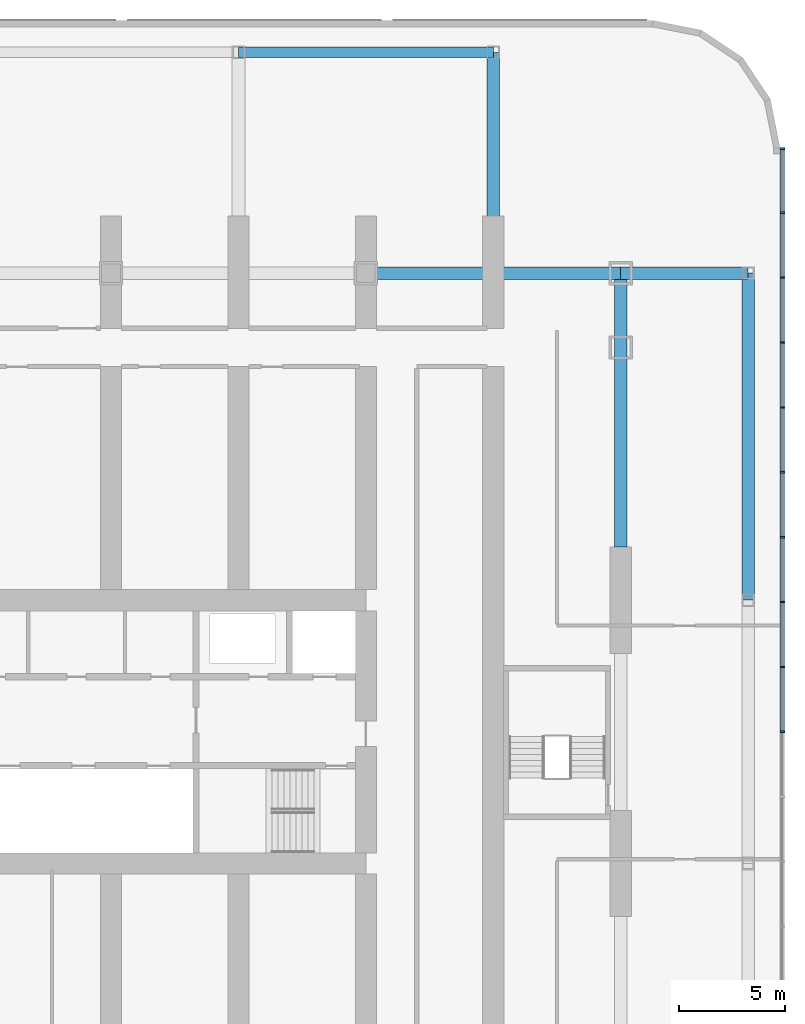
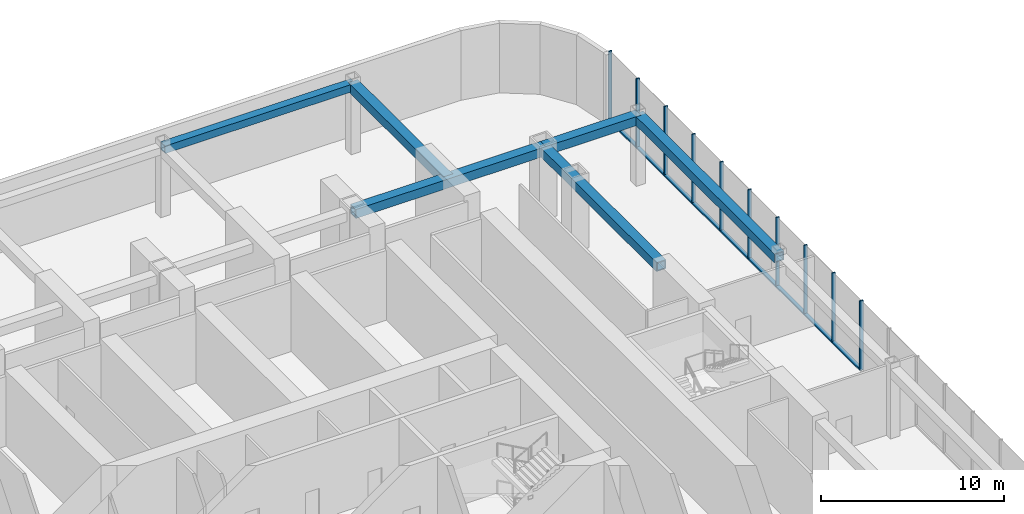
# One storey, part 11 of 37: 19 members, 6 beams, 1 element without a shape of its own.
"""IFC4 building model written with IfcOpenShell, lengths in metres."""

from ifc_helpers import new_model, si_unit, direction, frame, origin, origin_2d, place, context, subcontext, project, spatial, rectangle, hollow_rectangle, extrude, material, material_profile, profile_set, type_object, element, aggregate, save


model = new_model("IFC4")

# Units and contexts
model_context = context("Model", 3, precision=1e-05, world=origin(), true_north=direction((0.0, 1.0)))
body_context = subcontext(model_context, "Body", "Model", "MODEL_VIEW")
ifc_project = project(units=[si_unit("LENGTHUNIT", "METRE"), si_unit("AREAUNIT", "SQUARE_METRE"), si_unit("VOLUMEUNIT", "CUBIC_METRE"), si_unit("PLANEANGLEUNIT", "RADIAN"), si_unit("MASSUNIT", "GRAM", prefix="KILO")], contexts=[model_context])

# Site, building, storey
site_placement = place(None, origin())
site = spatial("IfcSite", under=ifc_project, at=site_placement, CompositionType="ELEMENT")
building_placement = place(site_placement, origin())
building = spatial("IfcBuilding", under=site, at=building_placement, Name="Orbita Commons", CompositionType="ELEMENT")
storey_placement = place(building_placement, frame((0.0, 0.0, 6.0)))
storey = spatial("IfcBuildingStorey", under=building, at=storey_placement, Name="L01", CompositionType="ELEMENT", Elevation=6.0)

# Curtain wall, members
ifc_material_1 = material(Name="Anodised aluminium frame, pale silver", Category="aluminium")
curtain_wall_type = type_object("IfcCurtainWallType", Name="Podium storefront curtain wall CW-P", PredefinedType="NOTDEFINED", material=ifc_material_1)
curtain_wall_placement = place(storey_placement, origin())
curtain_wall = element("IfcCurtainWall", 1, at=curtain_wall_placement, inside=storey, type_object=curtain_wall_type, Name="Curtain wall E 1 L01", PredefinedType="NOTDEFINED")
ifc_material_2 = material(Name="Anodised aluminium, pale silver", Category="aluminium")
ifc_material_profile_1 = material_profile(ifc_material_2, rectangle(XDim=0.080078125, YDim=0.219970703125, at=origin_2d()), Name="AL 80x220")
ifc_profile_set_1 = profile_set([ifc_material_profile_1], Name="Anodised aluminium, pale silver")
member_type_1 = type_object("IfcMemberType", Name="Curtain wall mullion 80x220", PredefinedType="MULLION", material=ifc_profile_set_1)
member_1_placement = place(storey_placement, frame((85.610107421875, 32.0, 0.0), z_axis=(0.0, 0.0, 1.0), x_axis=(0.0, 1.0, 0.0)))
member_1 = element("IfcMember", 2, at=member_1_placement, type_object=member_type_1, Name="Mullion 10 CW-L01-E0", PredefinedType="MULLION", context=body_context, shape_type="SweptSolid", body=[
    extrude(rectangle(XDim=0.080078125, YDim=0.219970703125, at=origin_2d()), origin(), (0.0, 0.0, 1.0), 4.64990234375),
])
member_2_placement = place(storey_placement, frame((85.610107421875, 35.0556640625, 0.0), z_axis=(0.0, 0.0, 1.0), x_axis=(0.0, 1.0, 0.0)))
member_2 = element("IfcMember", 3, at=member_2_placement, type_object=member_type_1, Name="Mullion 11 CW-L01-E0", PredefinedType="MULLION", context=body_context, shape_type="SweptSolid", body=[
    extrude(rectangle(XDim=0.080078125, YDim=0.219970703125, at=origin_2d()), origin(), (0.0, 0.0, 1.0), 4.64990234375),
])
member_3_placement = place(storey_placement, frame((85.610107421875, 38.111083984375, 0.0), z_axis=(0.0, 0.0, 1.0), x_axis=(0.0, 1.0, 0.0)))
member_3 = element("IfcMember", 4, at=member_3_placement, type_object=member_type_1, Name="Mullion 12 CW-L01-E0", PredefinedType="MULLION", context=body_context, shape_type="SweptSolid", body=[
    extrude(rectangle(XDim=0.080078125, YDim=0.219970703125, at=origin_2d()), origin(), (0.0, 0.0, 1.0), 4.64990234375),
])
member_4_placement = place(storey_placement, frame((85.610107421875, 41.166748046875, 0.0), z_axis=(0.0, 0.0, 1.0), x_axis=(0.0, 1.0, 0.0)))
member_4 = element("IfcMember", 5, at=member_4_placement, type_object=member_type_1, Name="Mullion 13 CW-L01-E0", PredefinedType="MULLION", context=body_context, shape_type="SweptSolid", body=[
    extrude(rectangle(XDim=0.080078125, YDim=0.219970703125, at=origin_2d()), origin(), (0.0, 0.0, 1.0), 4.64990234375),
])
member_5_placement = place(storey_placement, frame((85.610107421875, 44.22216796875, 0.0), z_axis=(0.0, 0.0, 1.0), x_axis=(0.0, 1.0, 0.0)))
member_5 = element("IfcMember", 6, at=member_5_placement, type_object=member_type_1, Name="Mullion 14 CW-L01-E0", PredefinedType="MULLION", context=body_context, shape_type="SweptSolid", body=[
    extrude(rectangle(XDim=0.080078125, YDim=0.219970703125, at=origin_2d()), origin(), (0.0, 0.0, 1.0), 4.64990234375),
])
member_6_placement = place(storey_placement, frame((85.610107421875, 47.27783203125, 0.0), z_axis=(0.0, 0.0, 1.0), x_axis=(0.0, 1.0, 0.0)))
member_6 = element("IfcMember", 7, at=member_6_placement, type_object=member_type_1, Name="Mullion 15 CW-L01-E0", PredefinedType="MULLION", context=body_context, shape_type="SweptSolid", body=[
    extrude(rectangle(XDim=0.080078125, YDim=0.219970703125, at=origin_2d()), origin(), (0.0, 0.0, 1.0), 4.64990234375),
])
member_7_placement = place(storey_placement, frame((85.610107421875, 50.333251953125, 0.0), z_axis=(0.0, 0.0, 1.0), x_axis=(0.0, 1.0, 0.0)))
member_7 = element("IfcMember", 8, at=member_7_placement, type_object=member_type_1, Name="Mullion 16 CW-L01-E0", PredefinedType="MULLION", context=body_context, shape_type="SweptSolid", body=[
    extrude(rectangle(XDim=0.080078125, YDim=0.219970703125, at=origin_2d()), origin(), (0.0, 0.0, 1.0), 4.64990234375),
])
member_8_placement = place(storey_placement, frame((85.610107421875, 53.388916015625, 0.0), z_axis=(0.0, 0.0, 1.0), x_axis=(0.0, 1.0, 0.0)))
member_8 = element("IfcMember", 9, at=member_8_placement, type_object=member_type_1, Name="Mullion 17 CW-L01-E0", PredefinedType="MULLION", context=body_context, shape_type="SweptSolid", body=[
    extrude(rectangle(XDim=0.080078125, YDim=0.219970703125, at=origin_2d()), origin(), (0.0, 0.0, 1.0), 4.64990234375),
])
member_9_placement = place(storey_placement, frame((85.610107421875, 56.4443359375, 0.0), z_axis=(0.0, 0.0, 1.0), x_axis=(0.0, 1.0, 0.0)))
member_9 = element("IfcMember", 10, at=member_9_placement, type_object=member_type_1, Name="Mullion 18 CW-L01-E0", PredefinedType="MULLION", context=body_context, shape_type="SweptSolid", body=[
    extrude(rectangle(XDim=0.080078125, YDim=0.219970703125, at=origin_2d()), origin(), (0.0, 0.0, 1.0), 4.64990234375),
])
member_10_placement = place(storey_placement, frame((85.610107421875, 59.4599609375, 0.0), z_axis=(0.0, 0.0, 1.0), x_axis=(0.0, 1.0, 0.0)))
member_10 = element("IfcMember", 11, at=member_10_placement, type_object=member_type_1, Name="Mullion 19 CW-L01-E0", PredefinedType="MULLION", context=body_context, shape_type="SweptSolid", body=[
    extrude(rectangle(XDim=0.080078125, YDim=0.219970703125, at=origin_2d()), origin(), (0.0, 0.0, 1.0), 4.64990234375),
])
ifc_material_3 = material(Name="Anodised aluminium, pale silver", Category="aluminium")
ifc_material_profile_2 = material_profile(ifc_material_3, rectangle(XDim=0.219970703125, YDim=0.10009765625, at=origin_2d()), Name="AL 220x100")
ifc_profile_set_2 = profile_set([ifc_material_profile_2], Name="Anodised aluminium, pale silver")
member_type_2 = type_object("IfcMemberType", Name="Curtain wall stack transom 220x100", PredefinedType="USERDEFINED", material=ifc_profile_set_2)
member_11_placement = place(storey_placement, frame((85.610107421875, 32.0400390625, 0.050048828125), z_axis=(0.0, 1.0, 0.0), x_axis=(-1.0, 0.0, 0.0)))
member_11 = element("IfcMember", 12, at=member_11_placement, type_object=member_type_2, Name="Transom 10.1 CW-L01-E0", ObjectType="TRANSOM", PredefinedType="USERDEFINED", context=body_context, shape_type="SweptSolid", body=[
    extrude(rectangle(XDim=0.219970703125, YDim=0.10009765625, at=origin_2d()), origin(), (0.0, 0.0, 1.0), 2.9755859375),
])
member_12_placement = place(storey_placement, frame((85.610107421875, 35.095458984375, 0.050048828125), z_axis=(0.0, 1.0, 0.0), x_axis=(-1.0, 0.0, 0.0)))
member_12 = element("IfcMember", 13, at=member_12_placement, type_object=member_type_2, Name="Transom 11.1 CW-L01-E0", ObjectType="TRANSOM", PredefinedType="USERDEFINED", context=body_context, shape_type="SweptSolid", body=[
    extrude(rectangle(XDim=0.219970703125, YDim=0.10009765625, at=origin_2d()), origin(), (0.0, 0.0, 1.0), 2.9755859375),
])
member_13_placement = place(storey_placement, frame((85.610107421875, 38.151123046875, 0.050048828125), z_axis=(0.0, 1.0, 0.0), x_axis=(-1.0, 0.0, 0.0)))
member_13 = element("IfcMember", 14, at=member_13_placement, type_object=member_type_2, Name="Transom 12.1 CW-L01-E0", ObjectType="TRANSOM", PredefinedType="USERDEFINED", context=body_context, shape_type="SweptSolid", body=[
    extrude(rectangle(XDim=0.219970703125, YDim=0.10009765625, at=origin_2d()), origin(), (0.0, 0.0, 1.0), 2.9755859375),
])
member_14_placement = place(storey_placement, frame((85.610107421875, 41.206787109375, 0.050048828125), z_axis=(0.0, 1.0, 0.0), x_axis=(-1.0, 0.0, 0.0)))
member_14 = element("IfcMember", 15, at=member_14_placement, type_object=member_type_2, Name="Transom 13.1 CW-L01-E0", ObjectType="TRANSOM", PredefinedType="USERDEFINED", context=body_context, shape_type="SweptSolid", body=[
    extrude(rectangle(XDim=0.219970703125, YDim=0.10009765625, at=origin_2d()), origin(), (0.0, 0.0, 1.0), 2.975341796875),
])
member_15_placement = place(storey_placement, frame((85.610107421875, 44.26220703125, 0.050048828125), z_axis=(0.0, 1.0, 0.0), x_axis=(-1.0, 0.0, 0.0)))
member_15 = element("IfcMember", 16, at=member_15_placement, type_object=member_type_2, Name="Transom 14.1 CW-L01-E0", ObjectType="TRANSOM", PredefinedType="USERDEFINED", context=body_context, shape_type="SweptSolid", body=[
    extrude(rectangle(XDim=0.219970703125, YDim=0.10009765625, at=origin_2d()), origin(), (0.0, 0.0, 1.0), 2.9755859375),
])
member_16_placement = place(storey_placement, frame((85.610107421875, 47.31787109375, 0.050048828125), z_axis=(0.0, 1.0, 0.0), x_axis=(-1.0, 0.0, 0.0)))
member_16 = element("IfcMember", 17, at=member_16_placement, type_object=member_type_2, Name="Transom 15.1 CW-L01-E0", ObjectType="TRANSOM", PredefinedType="USERDEFINED", context=body_context, shape_type="SweptSolid", body=[
    extrude(rectangle(XDim=0.219970703125, YDim=0.10009765625, at=origin_2d()), origin(), (0.0, 0.0, 1.0), 2.975341796875),
])
member_17_placement = place(storey_placement, frame((85.610107421875, 50.373291015625, 0.050048828125), z_axis=(0.0, 1.0, 0.0), x_axis=(-1.0, 0.0, 0.0)))
member_17 = element("IfcMember", 18, at=member_17_placement, type_object=member_type_2, Name="Transom 16.1 CW-L01-E0", ObjectType="TRANSOM", PredefinedType="USERDEFINED", context=body_context, shape_type="SweptSolid", body=[
    extrude(rectangle(XDim=0.219970703125, YDim=0.10009765625, at=origin_2d()), origin(), (0.0, 0.0, 1.0), 2.9755859375),
])
member_18_placement = place(storey_placement, frame((85.610107421875, 53.428955078125, 0.050048828125), z_axis=(0.0, 1.0, 0.0), x_axis=(-1.0, 0.0, 0.0)))
member_18 = element("IfcMember", 19, at=member_18_placement, type_object=member_type_2, Name="Transom 17.1 CW-L01-E0", ObjectType="TRANSOM", PredefinedType="USERDEFINED", context=body_context, shape_type="SweptSolid", body=[
    extrude(rectangle(XDim=0.219970703125, YDim=0.10009765625, at=origin_2d()), origin(), (0.0, 0.0, 1.0), 2.9755859375),
])
member_19_placement = place(storey_placement, frame((85.610107421875, 56.484375, 0.050048828125), z_axis=(0.0, 1.0, 0.0), x_axis=(-1.0, 0.0, 0.0)))
member_19 = element("IfcMember", 20, at=member_19_placement, type_object=member_type_2, Name="Transom 18.1 CW-L01-E0", ObjectType="TRANSOM", PredefinedType="USERDEFINED", context=body_context, shape_type="SweptSolid", body=[
    extrude(rectangle(XDim=0.219970703125, YDim=0.10009765625, at=origin_2d()), origin(), (0.0, 0.0, 1.0), 2.935546875),
])
aggregate(curtain_wall, [member_1, member_2, member_3, member_4, member_5, member_6, member_7, member_8, member_9, member_10, member_11, member_12, member_13, member_14, member_15, member_16, member_17, member_18, member_19])

# Beams
ifc_material_4 = material(Name="Steel ASTM A572 Gr 50 welded plate", Category="steel")
ifc_material_profile_3 = material_profile(ifc_material_4, hollow_rectangle(XDim=0.5, YDim=0.5, WallThickness=0.050048828125, at=origin_2d()), Name="BOX 500x500x50")
ifc_profile_set_3 = profile_set([ifc_material_profile_3], Name="Steel ASTM A572 Gr 50 welded plate")
beam_type_1 = type_object("IfcBeamType", Name="Steel edge beam BOX 500x500x50", PredefinedType="SPANDREL", material=ifc_profile_set_3)
beam_1_placement = place(storey_placement, frame((60.0, 64.0, 4.39990234375), z_axis=(1.0, 0.0, 0.0), x_axis=(0.0, 1.0, 0.0)))
element("IfcBeam", 21, at=beam_1_placement, inside=storey, type_object=beam_type_1, Name="Edge beam F 11-13 L01", PredefinedType="SPANDREL", context=body_context, shape_type="SweptSolid", body=[
    extrude(hollow_rectangle(XDim=0.5, YDim=0.5, WallThickness=0.050048828125, at=origin_2d()), origin(), (0.0, 0.0, 1.0), 12.0),
])
ifc_material_5 = material(Name="Steel ASTM A572 Gr 50 welded plate", Category="steel")
ifc_material_profile_4 = material_profile(ifc_material_5, hollow_rectangle(XDim=0.60009765625, YDim=0.60009765625, WallThickness=0.06005859375, at=origin_2d()), Name="BOX 600x600x60")
ifc_profile_set_4 = profile_set([ifc_material_profile_4], Name="Steel ASTM A572 Gr 50 welded plate")
beam_type_2 = type_object("IfcBeamType", Name="Steel podium beam BOX 600x600x60", PredefinedType="BEAM", material=ifc_profile_set_4)
beam_2_placement = place(storey_placement, frame((66.0, 53.60009765625, 4.35009765625), z_axis=(1.0, 0.0, 0.0), x_axis=(0.0, 1.0, 0.0)))
element("IfcBeam", 22, at=beam_2_placement, inside=storey, type_object=beam_type_2, Name="Podium beam E 12-14 L01", PredefinedType="BEAM", context=body_context, shape_type="SweptSolid", body=[
    extrude(hollow_rectangle(XDim=0.60009765625, YDim=0.60009765625, WallThickness=0.06005859375, at=origin_2d()), origin(), (0.0, 0.0, 1.0), 12.0),
])
beam_3_placement = place(storey_placement, frame((78.0, 53.60009765625, 4.35009765625), z_axis=(1.0, 0.0, 0.0), x_axis=(0.0, 1.0, 0.0)))
element("IfcBeam", 23, at=beam_3_placement, inside=storey, type_object=beam_type_2, Name="Podium beam E 14-15 L01", PredefinedType="BEAM", context=body_context, shape_type="SweptSolid", body=[
    extrude(hollow_rectangle(XDim=0.60009765625, YDim=0.60009765625, WallThickness=0.06005859375, at=origin_2d()), origin(), (0.0, 0.0, 1.0), 6.0),
])
beam_4_placement = place(storey_placement, frame((72.0, 53.60009765625, 4.35009765625), z_axis=(0.0, 1.0, 0.0), x_axis=(-1.0, 0.0, 0.0)))
element("IfcBeam", 24, at=beam_4_placement, inside=storey, type_object=beam_type_2, Name="Podium beam 13 E-F L01", PredefinedType="BEAM", context=body_context, shape_type="SweptSolid", body=[
    extrude(hollow_rectangle(XDim=0.60009765625, YDim=0.60009765625, WallThickness=0.06005859375, at=origin_2d()), origin(), (0.0, 0.0, 1.0), 10.39990234375),
])
beam_5_placement = place(storey_placement, frame((84.0, 38.199951171875, 4.35009765625), z_axis=(0.0, 1.0, 0.0), x_axis=(-1.0, 0.0, 0.0)))
element("IfcBeam", 25, at=beam_5_placement, inside=storey, type_object=beam_type_2, Name="Podium beam 15 D-E L01", PredefinedType="BEAM", context=body_context, shape_type="SweptSolid", body=[
    extrude(hollow_rectangle(XDim=0.60009765625, YDim=0.60009765625, WallThickness=0.06005859375, at=origin_2d()), origin(), (0.0, 0.0, 1.0), 15.400146484375),
])
beam_6_placement = place(storey_placement, frame((78.0, 40.699951171875, 4.35009765625), z_axis=(0.0, 1.0, 0.0), x_axis=(-1.0, 0.0, 0.0)))
element("IfcBeam", 26, at=beam_6_placement, inside=storey, type_object=beam_type_2, Name="Podium beam 14 D-E L01", PredefinedType="BEAM", context=body_context, shape_type="SweptSolid", body=[
    extrude(hollow_rectangle(XDim=0.60009765625, YDim=0.60009765625, WallThickness=0.06005859375, at=origin_2d()), origin(), (0.0, 0.0, 1.0), 12.900146484375),
])

save(model, "model.ifc")
